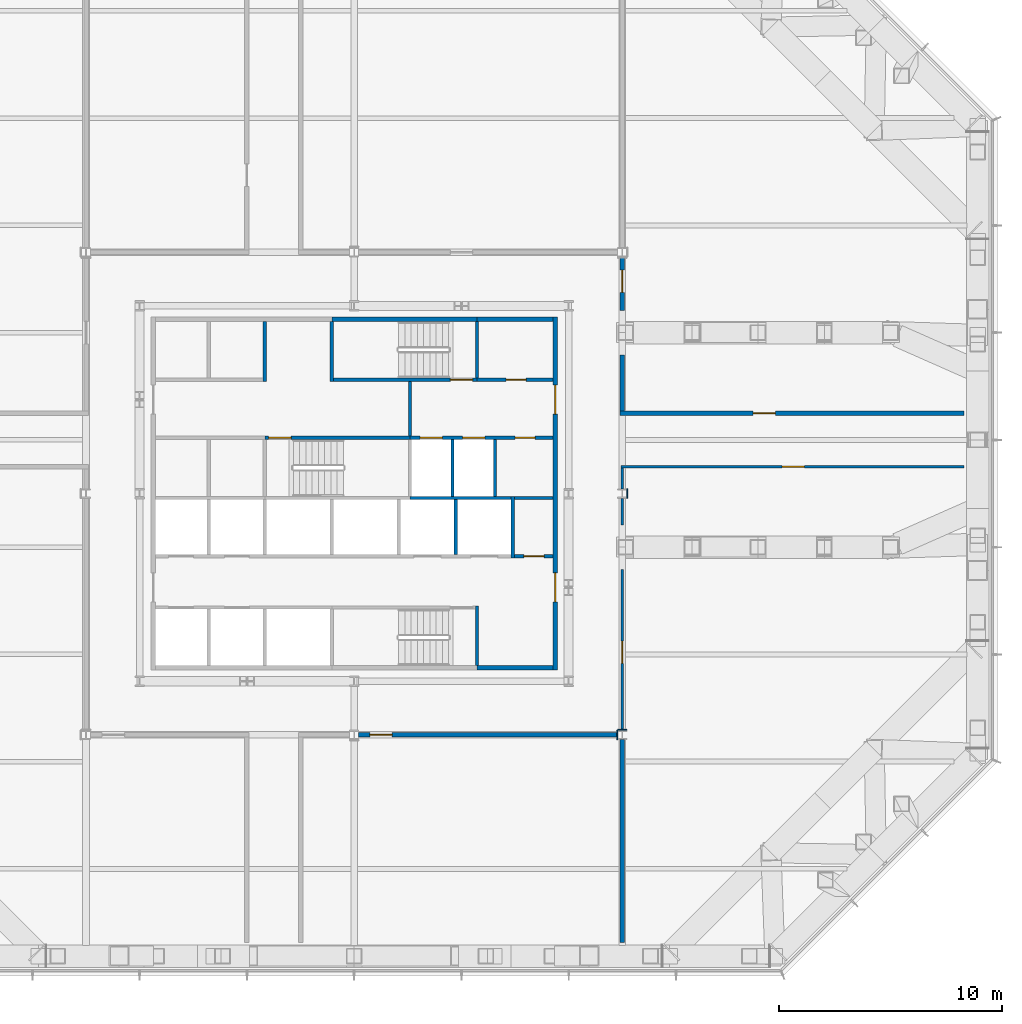
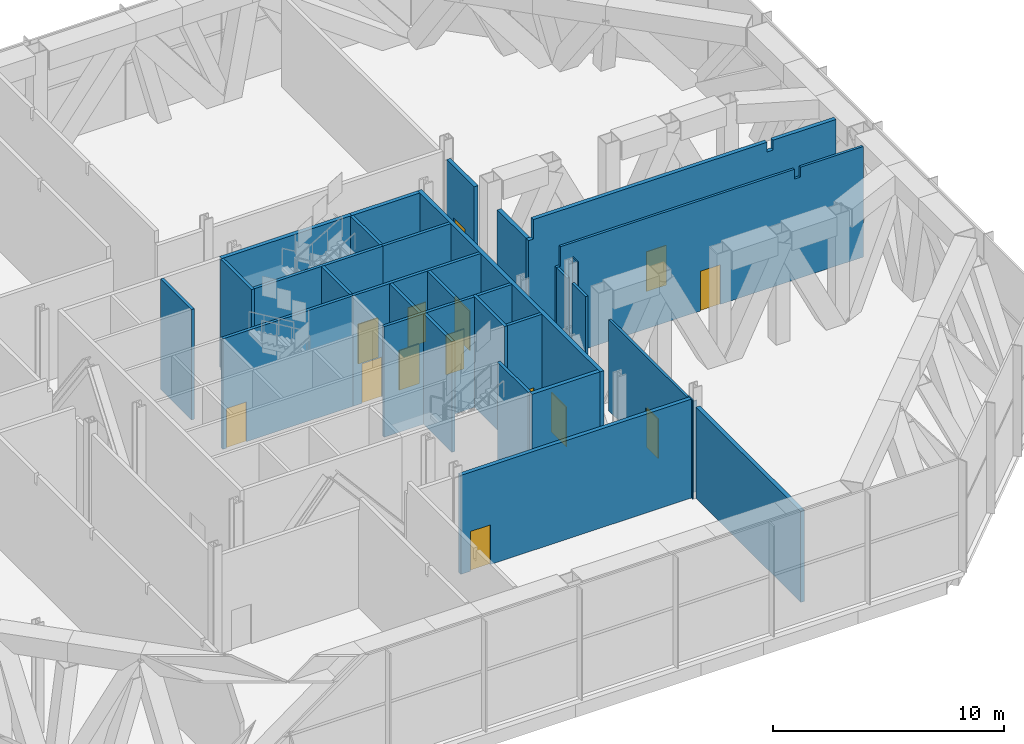
# One storey, part 14 of 17: 32 walls, 14 doors, 14 openings.
"""IFC4 building model written with IfcOpenShell, lengths in metres."""

from ifc_helpers import new_model, si_unit, direction, frame, frame_2d, origin, place, context, subcontext, project, spatial, polyline, rectangle, outline, extrude, material, layer, layer_set, type_object, element, fill, save


model = new_model("IFC4")

# Units and contexts
model_context = context("Model", 3, precision=1e-05, world=origin(), true_north=direction((0.0, 1.0)))
body_context = subcontext(model_context, "Body", "Model", "MODEL_VIEW")
ifc_project = project(units=[si_unit("LENGTHUNIT", "METRE"), si_unit("AREAUNIT", "SQUARE_METRE"), si_unit("VOLUMEUNIT", "CUBIC_METRE"), si_unit("PLANEANGLEUNIT", "RADIAN"), si_unit("MASSUNIT", "GRAM", prefix="KILO")], contexts=[model_context])

# Site, building, storey
site_placement = place(None, origin())
site = spatial("IfcSite", under=ifc_project, at=site_placement, CompositionType="ELEMENT")
building_placement = place(site_placement, origin())
building = spatial("IfcBuilding", under=site, at=building_placement, Name="Cairn Pilgrim Tower", CompositionType="ELEMENT")
storey_placement = place(building_placement, frame((0.0, 0.0, 119.39990234375)))
storey = spatial("IfcBuildingStorey", under=building, at=storey_placement, Name="L29", CompositionType="ELEMENT", Elevation=119.39990234375)

# Walls
ifc_material_1 = material(Name="Concrete C32/40", Category="concrete")
ifc_layer_1 = layer(ifc_material_1, 0.199951171875)
ifc_layer_set_1 = layer_set([ifc_layer_1], Name="CORE OUTER WALL 200 EI 120")
wall_type_1 = type_object("IfcWallType", Name="CORE OUTER WALL 200 EI 120", PredefinedType="SOLIDWALL", material=ifc_layer_set_1)
for number, where, z_axis, x_axis, name in (
    (1, (12.699951171875, -5.39990234375, 0.0), (0.0, 0.0, 1.0), (1.0, 0.0, 0.0), "CW:L29:H01-3"),
    (2, (12.699951171875, 10.199951171875, 0.0), (0.0, 0.0, 1.0), (1.0, 0.0, 0.0), "CW:L29:H10-3"),
):
    element("IfcWall", number, at=place(storey_placement, frame(where, z_axis=z_axis, x_axis=x_axis)), inside=storey, type_object=wall_type_1, Name=name, PredefinedType="SOLIDWALL", context=body_context, shape_type="SweptSolid", body=[
        extrude(rectangle(XDim=3.400146484375, YDim=0.199951171875, at=frame_2d((1.7001953125, 0.0))), origin(), (0.0, 0.0, 1.0), 5.85009765625),
    ])

# Wall, openings, doors
wall_1_placement = place(storey_placement, frame((16.199951171875, -5.5, 0.0), z_axis=(0.0, 0.0, 1.0), x_axis=(0.0, 1.0, 0.0)))
wall_1 = element("IfcWall", 3, at=wall_1_placement, inside=storey, type_object=wall_type_1, Name="CW:L29:V32", PredefinedType="SOLIDWALL", context=body_context, shape_type="SweptSolid", body=[
    extrude(rectangle(XDim=15.800048828125, YDim=0.199951171875, at=frame_2d((7.89990234375, 0.0))), origin(), (0.0, 0.0, 1.0), 5.85009765625),
])
opening_1_placement = place(wall_1_placement, frame((3.050048828125, 0.0, 0.0)))
opening_1 = element("IfcOpeningElement", 4, at=opening_1_placement, cuts=wall_1, Name="Opening CD-E1", PredefinedType="OPENING", context=body_context, shape_type="SweptSolid", body=[
    extrude(rectangle(XDim=1.300048828125, YDim=2.10009765625, at=frame_2d((0.64990234375, 1.050048828125))), frame((0.0, 0.10986328125, 0.0), z_axis=(0.0, -1.0, 0.0), x_axis=(1.0, 0.0, 0.0)), (0.0, 0.0, 1.0), 0.219970703125),
])
opening_2_placement = place(wall_1_placement, frame((11.449951171875, 0.0, 0.0)))
opening_2 = element("IfcOpeningElement", 5, at=opening_2_placement, cuts=wall_1, Name="Opening CD-E2", PredefinedType="OPENING", context=body_context, shape_type="SweptSolid", body=[
    extrude(rectangle(XDim=1.300048828125, YDim=2.10009765625, at=frame_2d((0.64990234375, 1.050048828125))), frame((0.0, 0.10986328125, 0.0), z_axis=(0.0, -1.0, 0.0), x_axis=(1.0, 0.0, 0.0)), (0.0, 0.0, 1.0), 0.219970703125),
])
ifc_material_2 = material(Name="Painted steel", Category="steel")
door_type_1 = type_object("IfcDoorType", Name="CORE LOBBY DOOR 1300x2100", OperationType="DOUBLE_DOOR_SINGLE_SWING", PredefinedType="DOOR", material=ifc_material_2)
door_1_placement = place(opening_1_placement, origin())
door_1 = element("IfcDoor", 6, at=door_1_placement, inside=storey, type_object=door_type_1, Name="CD-E1", OperationType="DOUBLE_DOOR_SINGLE_SWING", OverallHeight=2.10009765625, OverallWidth=1.300048828125, PredefinedType="DOOR", context=body_context, shape_type="SweptSolid", body=[
    extrude(rectangle(XDim=1.300048828125, YDim=2.10009765625, at=frame_2d((0.64990234375, 1.050048828125))), frame((0.0, 0.02490234375, 0.0), z_axis=(0.0, -1.0, 0.0), x_axis=(1.0, 0.0, 0.0)), (0.0, 0.0, 1.0), 0.050048828125),
])
fill(opening_1, door_1)
door_2_placement = place(opening_2_placement, origin())
door_2 = element("IfcDoor", 7, at=door_2_placement, inside=storey, type_object=door_type_1, Name="CD-E2", OperationType="DOUBLE_DOOR_SINGLE_SWING", OverallHeight=2.10009765625, OverallWidth=1.300048828125, PredefinedType="DOOR", context=body_context, shape_type="SweptSolid", body=[
    extrude(rectangle(XDim=1.300048828125, YDim=2.10009765625, at=frame_2d((0.64990234375, 1.050048828125))), frame((0.0, 0.02490234375, 0.0), z_axis=(0.0, -1.0, 0.0), x_axis=(1.0, 0.0, 0.0)), (0.0, 0.0, 1.0), 0.050048828125),
])
fill(opening_2, door_2)

# Wall, opening, door
ifc_layer_2 = layer(ifc_material_1, 0.14990234375)
ifc_layer_set_2 = layer_set([ifc_layer_2], Name="CORE PARTITION 150 EI 60")
wall_type_2 = type_object("IfcWallType", Name="CORE PARTITION 150 EI 60", PredefinedType="PARTITIONING", material=ifc_layer_set_2)
wall_2_placement = place(storey_placement, frame((14.375, -0.39990234375, 0.0), z_axis=(0.0, 0.0, 1.0), x_axis=(1.0, 0.0, 0.0)))
wall_2 = element("IfcWall", 8, at=wall_2_placement, inside=storey, type_object=wall_type_2, Name="CW:L29:H04", PredefinedType="PARTITIONING", context=body_context, shape_type="SweptSolid", body=[
    extrude(rectangle(XDim=1.72509765625, YDim=0.14990234375, at=frame_2d((0.862548828125, 0.0))), origin(), (0.0, 0.0, 1.0), 5.85009765625),
])
opening_3_placement = place(wall_2_placement, frame((0.425048828125, 0.0, 0.0)))
opening_3 = element("IfcOpeningElement", 9, at=opening_3_placement, cuts=wall_2, Name="Opening RD-R2E", PredefinedType="OPENING", context=body_context, shape_type="SweptSolid", body=[
    extrude(rectangle(XDim=0.89990234375, YDim=2.10009765625, at=frame_2d((0.449951171875, 1.050048828125))), frame((0.0, 0.0849609375, 0.0), z_axis=(0.0, -1.0, 0.0), x_axis=(1.0, 0.0, 0.0)), (0.0, 0.0, 1.0), 0.169921875),
])
door_type_2 = type_object("IfcDoorType", Name="SERVICE ROOM DOOR 900x2100", OperationType="SINGLE_SWING_LEFT", PredefinedType="DOOR", material=ifc_material_2)
door_3_placement = place(opening_3_placement, origin())
door_3 = element("IfcDoor", 10, at=door_3_placement, inside=storey, type_object=door_type_2, Name="RD-R2E", OperationType="SINGLE_SWING_LEFT", OverallHeight=2.10009765625, OverallWidth=0.89990234375, PredefinedType="DOOR", context=body_context, shape_type="SweptSolid", body=[
    extrude(rectangle(XDim=0.89990234375, YDim=2.10009765625, at=frame_2d((0.449951171875, 1.050048828125))), frame((0.0, 0.02490234375, 0.0), z_axis=(0.0, -1.0, 0.0), x_axis=(1.0, 0.0, 0.0)), (0.0, 0.0, 1.0), 0.050048828125),
])
fill(opening_3, door_3)

# Walls
wall_3_placement = place(storey_placement, frame((14.375, 2.199951171875, 0.0), z_axis=(0.0, 0.0, 1.0), x_axis=(1.0, 0.0, 0.0)))
element("IfcWall", 11, at=wall_3_placement, inside=storey, type_object=wall_type_2, Name="CW:L29:H06", PredefinedType="PARTITIONING", context=body_context, shape_type="SweptSolid", body=[
    extrude(rectangle(XDim=1.72509765625, YDim=0.14990234375, at=frame_2d((0.862548828125, 0.0))), origin(), (0.0, 0.0, 1.0), 5.85009765625),
])
ifc_layer_3 = layer(ifc_material_1, 0.14990234375)
ifc_layer_set_3 = layer_set([ifc_layer_3], Name="CORE SHAFT WALL 150 EI 120")
wall_type_3 = type_object("IfcWallType", Name="CORE SHAFT WALL 150 EI 120", PredefinedType="SOLIDWALL", material=ifc_layer_set_3)
wall_4_placement = place(storey_placement, frame((9.699951171875, 2.199951171875, 0.0), z_axis=(0.0, 0.0, 1.0), x_axis=(1.0, 0.0, 0.0)))
element("IfcWall", 12, at=wall_4_placement, inside=storey, type_object=wall_type_3, Name="CW:L29:H05-3", PredefinedType="SOLIDWALL", context=body_context, shape_type="SweptSolid", body=[
    extrude(rectangle(XDim=4.525146484375, YDim=0.14990234375, at=frame_2d((2.2626953125, 0.0))), origin(), (0.0, 0.0, 1.0), 5.85009765625),
])

# Wall, openings, doors
wall_5_placement = place(storey_placement, frame((9.699951171875, 4.89990234375, 0.0), z_axis=(0.0, 0.0, 1.0), x_axis=(1.0, 0.0, 0.0)))
wall_5 = element("IfcWall", 13, at=wall_5_placement, inside=storey, type_object=wall_type_3, Name="CW:L29:H07-3", PredefinedType="SOLIDWALL", context=body_context, shape_type="SweptSolid", body=[
    extrude(rectangle(XDim=6.400146484375, YDim=0.14990234375, at=frame_2d((3.2001953125, 0.0))), origin(), (0.0, 0.0, 1.0), 5.85009765625),
])
opening_4_placement = place(wall_5_placement, frame((0.449951171875, 0.0, 0.0)))
opening_4 = element("IfcOpeningElement", 14, at=opening_4_placement, cuts=wall_5, Name="Opening LD-FF1", PredefinedType="OPENING", context=body_context, shape_type="SweptSolid", body=[
    extrude(rectangle(XDim=1.0, YDim=2.10009765625, at=frame_2d((0.5, 1.050048828125))), frame((0.0, 0.0849609375, 0.0), z_axis=(0.0, -1.0, 0.0), x_axis=(1.0, 0.0, 0.0)), (0.0, 0.0, 1.0), 0.169921875),
])
opening_5_placement = place(wall_5_placement, frame((2.35009765625, 0.0, 0.0)))
opening_5 = element("IfcOpeningElement", 15, at=opening_5_placement, cuts=wall_5, Name="Opening LD-FF2", PredefinedType="OPENING", context=body_context, shape_type="SweptSolid", body=[
    extrude(rectangle(XDim=1.0, YDim=2.10009765625, at=frame_2d((0.5, 1.050048828125))), frame((0.0, 0.0849609375, 0.0), z_axis=(0.0, -1.0, 0.0), x_axis=(1.0, 0.0, 0.0)), (0.0, 0.0, 1.0), 0.169921875),
])
opening_6_placement = place(wall_5_placement, frame((4.699951171875, 0.0, 0.0)))
opening_6 = element("IfcOpeningElement", 16, at=opening_6_placement, cuts=wall_5, Name="Opening RD-R3E", PredefinedType="OPENING", context=body_context, shape_type="SweptSolid", body=[
    extrude(rectangle(XDim=0.89990234375, YDim=2.10009765625, at=frame_2d((0.449951171875, 1.050048828125))), frame((0.0, 0.0849609375, 0.0), z_axis=(0.0, -1.0, 0.0), x_axis=(1.0, 0.0, 0.0)), (0.0, 0.0, 1.0), 0.169921875),
])
ifc_material_3 = material(Name="Stainless steel", Category="steel")
door_type_3 = type_object("IfcDoorType", Name="LIFT LANDING DOOR FIRE 1000x2100", OperationType="DOUBLE_DOOR_SLIDING", PredefinedType="DOOR", material=ifc_material_3)
door_4_placement = place(opening_4_placement, origin())
door_4 = element("IfcDoor", 17, at=door_4_placement, inside=storey, type_object=door_type_3, Name="LANDING DOOR FF1", OperationType="DOUBLE_DOOR_SLIDING", OverallHeight=2.10009765625, OverallWidth=1.0, PredefinedType="DOOR", context=body_context, shape_type="SweptSolid", body=[
    extrude(rectangle(XDim=1.0, YDim=2.10009765625, at=frame_2d((0.5, 1.050048828125))), frame((0.0, 0.02490234375, 0.0), z_axis=(0.0, -1.0, 0.0), x_axis=(1.0, 0.0, 0.0)), (0.0, 0.0, 1.0), 0.050048828125),
])
fill(opening_4, door_4)
door_5_placement = place(opening_5_placement, origin())
door_5 = element("IfcDoor", 18, at=door_5_placement, inside=storey, type_object=door_type_3, Name="LANDING DOOR FF2", OperationType="DOUBLE_DOOR_SLIDING", OverallHeight=2.10009765625, OverallWidth=1.0, PredefinedType="DOOR", context=body_context, shape_type="SweptSolid", body=[
    extrude(rectangle(XDim=1.0, YDim=2.10009765625, at=frame_2d((0.5, 1.050048828125))), frame((0.0, 0.02490234375, 0.0), z_axis=(0.0, -1.0, 0.0), x_axis=(1.0, 0.0, 0.0)), (0.0, 0.0, 1.0), 0.050048828125),
])
fill(opening_5, door_5)
door_6_placement = place(opening_6_placement, origin())
door_6 = element("IfcDoor", 19, at=door_6_placement, inside=storey, type_object=door_type_2, Name="RD-R3E", OperationType="SINGLE_SWING_RIGHT", OverallHeight=2.10009765625, OverallWidth=0.89990234375, PredefinedType="DOOR", context=body_context, shape_type="SweptSolid", body=[
    extrude(rectangle(XDim=0.89990234375, YDim=2.10009765625, at=frame_2d((0.449951171875, 1.050048828125))), frame((0.0, 0.02490234375, 0.0), z_axis=(0.0, -1.0, 0.0), x_axis=(1.0, 0.0, 0.0)), (0.0, 0.0, 1.0), 0.050048828125),
])
fill(opening_6, door_6)

# Wall, opening, door
wall_6_placement = place(storey_placement, frame((12.699951171875, 7.5, 0.0), z_axis=(0.0, 0.0, 1.0), x_axis=(1.0, 0.0, 0.0)))
wall_6 = element("IfcWall", 20, at=wall_6_placement, inside=storey, type_object=wall_type_3, Name="CW:L29:H09-2", PredefinedType="SOLIDWALL", context=body_context, shape_type="SweptSolid", body=[
    extrude(rectangle(XDim=3.400146484375, YDim=0.14990234375, at=frame_2d((1.7001953125, 0.0))), origin(), (0.0, 0.0, 1.0), 5.85009765625),
])
opening_7_placement = place(wall_6_placement, frame((1.300048828125, 0.0, 0.0)))
opening_7 = element("IfcOpeningElement", 21, at=opening_7_placement, cuts=wall_6, Name="Opening RD-R4E", PredefinedType="OPENING", context=body_context, shape_type="SweptSolid", body=[
    extrude(rectangle(XDim=0.89990234375, YDim=2.10009765625, at=frame_2d((0.449951171875, 1.050048828125))), frame((0.0, 0.0849609375, 0.0), z_axis=(0.0, -1.0, 0.0), x_axis=(1.0, 0.0, 0.0)), (0.0, 0.0, 1.0), 0.169921875),
])
door_7_placement = place(opening_7_placement, origin())
door_7 = element("IfcDoor", 22, at=door_7_placement, inside=storey, type_object=door_type_2, Name="RD-R4E", OperationType="SINGLE_SWING_LEFT", OverallHeight=2.10009765625, OverallWidth=0.89990234375, PredefinedType="DOOR", context=body_context, shape_type="SweptSolid", body=[
    extrude(rectangle(XDim=0.89990234375, YDim=2.10009765625, at=frame_2d((0.449951171875, 1.050048828125))), frame((0.0, 0.02490234375, 0.0), z_axis=(0.0, -1.0, 0.0), x_axis=(1.0, 0.0, 0.0)), (0.0, 0.0, 1.0), 0.050048828125),
])
fill(opening_7, door_7)

# Walls
wall_7_placement = place(storey_placement, frame((3.199951171875, 7.425048828125, 0.0), z_axis=(0.0, 0.0, 1.0), x_axis=(0.0, 1.0, 0.0)))
element("IfcWall", 23, at=wall_7_placement, inside=storey, type_object=wall_type_3, Name="CW:L29:V19", PredefinedType="SOLIDWALL", context=body_context, shape_type="SweptSolid", body=[
    extrude(rectangle(XDim=2.675048828125, YDim=0.14990234375, at=frame_2d((1.33740234375, 0.0))), origin(), (0.0, 0.0, 1.0), 5.85009765625),
])
wall_8_placement = place(storey_placement, frame((9.699951171875, 4.97509765625, 0.0), z_axis=(0.0, 0.0, 1.0), x_axis=(0.0, 1.0, 0.0)))
element("IfcWall", 24, at=wall_8_placement, inside=storey, type_object=wall_type_3, Name="CW:L29:V25", PredefinedType="SOLIDWALL", context=body_context, shape_type="SweptSolid", body=[
    extrude(rectangle(XDim=2.449951171875, YDim=0.14990234375, at=frame_2d((1.22509765625, 0.0))), origin(), (0.0, 0.0, 1.0), 5.85009765625),
])
wall_9_placement = place(storey_placement, frame((11.60009765625, 2.27490234375, 0.0), z_axis=(0.0, 0.0, 1.0), x_axis=(0.0, 1.0, 0.0)))
element("IfcWall", 25, at=wall_9_placement, inside=storey, type_object=wall_type_3, Name="CW:L29:V26", PredefinedType="SOLIDWALL", context=body_context, shape_type="SweptSolid", body=[
    extrude(rectangle(XDim=2.550048828125, YDim=0.14990234375, at=frame_2d((1.27490234375, 0.0))), origin(), (0.0, 0.0, 1.0), 5.85009765625),
])
wall_10_placement = place(storey_placement, frame((11.75, -0.324951171875, 0.0), z_axis=(0.0, 0.0, 1.0), x_axis=(0.0, 1.0, 0.0)))
element("IfcWall", 26, at=wall_10_placement, inside=storey, type_object=wall_type_3, Name="CW:L29:V27", PredefinedType="SOLIDWALL", context=body_context, shape_type="SweptSolid", body=[
    extrude(rectangle(XDim=2.449951171875, YDim=0.14990234375, at=frame_2d((1.22509765625, 0.0))), origin(), (0.0, 0.0, 1.0), 5.85009765625),
])
wall_11_placement = place(storey_placement, frame((13.5, 2.27490234375, 0.0), z_axis=(0.0, 0.0, 1.0), x_axis=(0.0, 1.0, 0.0)))
element("IfcWall", 27, at=wall_11_placement, inside=storey, type_object=wall_type_3, Name="CW:L29:V30", PredefinedType="SOLIDWALL", context=body_context, shape_type="SweptSolid", body=[
    extrude(rectangle(XDim=2.550048828125, YDim=0.14990234375, at=frame_2d((1.27490234375, 0.0))), origin(), (0.0, 0.0, 1.0), 5.85009765625),
])
wall_12_placement = place(storey_placement, frame((14.300048828125, -0.47509765625, 0.0), z_axis=(0.0, 0.0, 1.0), x_axis=(0.0, 1.0, 0.0)))
element("IfcWall", 28, at=wall_12_placement, inside=storey, type_object=wall_type_3, Name="CW:L29:V31", PredefinedType="SOLIDWALL", context=body_context, shape_type="SweptSolid", body=[
    extrude(rectangle(XDim=2.75, YDim=0.14990234375, at=frame_2d((1.375, 0.0))), origin(), (0.0, 0.0, 1.0), 5.85009765625),
])

# Wall, opening, door
ifc_material_4 = material(Name="Gypsum partition")
ifc_layer_4 = layer(ifc_material_4, 0.125)
ifc_layer_set_4 = layer_set([ifc_layer_4], Name="PARTITION 125 DRYWALL EI 60")
wall_type_4 = type_object("IfcWallType", Name="PARTITION 125 DRYWALL EI 60", PredefinedType="PARTITIONING", material=ifc_layer_set_4)
wall_13_placement = place(storey_placement, frame((19.199951171875, -8.1875, 0.0), z_axis=(0.0, 0.0, 1.0), x_axis=(0.0, 1.0, 0.0)))
wall_13 = element("IfcWall", 29, at=wall_13_placement, inside=storey, type_object=wall_type_4, Name="PARTITION W009", PredefinedType="PARTITIONING", context=body_context, shape_type="SweptSolid", body=[
    extrude(rectangle(XDim=7.1875, YDim=0.125, at=frame_2d((3.59375, 0.0))), origin(), (0.0, 0.0, 1.0), 4.822021484375),
])
opening_8_placement = place(wall_13_placement, frame((2.987548828125, 0.0, 0.0)))
opening_8 = element("IfcOpeningElement", 30, at=opening_8_placement, cuts=wall_13, Name="Opening 2910", PredefinedType="OPENING", context=body_context, shape_type="SweptSolid", body=[
    extrude(rectangle(XDim=1.0, YDim=2.10009765625, at=frame_2d((0.5, 1.050048828125))), frame((0.0, 0.072509765625, 0.0), z_axis=(0.0, -1.0, 0.0), x_axis=(1.0, 0.0, 0.0)), (0.0, 0.0, 1.0), 0.14501953125),
])
ifc_material_5 = material(Name="Steel-faced fire door leaf", Category="steel")
door_type_4 = type_object("IfcDoorType", Name="FIRE DOOR 1000x2100 FD60S", OperationType="NOTDEFINED", PredefinedType="DOOR", material=ifc_material_5)
door_8_placement = place(opening_8_placement, origin())
door_8 = element("IfcDoor", 31, at=door_8_placement, inside=storey, type_object=door_type_4, Name="DOOR 2910", OperationType="SINGLE_SWING_RIGHT", OverallHeight=2.10009765625, OverallWidth=1.0, PredefinedType="DOOR", context=body_context, shape_type="SweptSolid", body=[
    extrude(rectangle(XDim=1.0, YDim=2.10009765625, at=frame_2d((0.5, 1.050048828125))), frame((0.0, 0.02490234375, 0.0), z_axis=(0.0, -1.0, 0.0), x_axis=(1.0, 0.0, 0.0)), (0.0, 0.0, 1.0), 0.050048828125),
])
fill(opening_8, door_8)

# Walls
wall_14_placement = place(storey_placement, frame((19.199951171875, 1.0, 0.0), z_axis=(0.0, 0.0, 1.0), x_axis=(0.0, 1.0, 0.0)))
element("IfcWall", 32, at=wall_14_placement, inside=storey, type_object=wall_type_4, Name="PARTITION W010", PredefinedType="PARTITIONING", context=body_context, shape_type="SweptSolid", body=[
    extrude(rectangle(XDim=1.1875, YDim=0.125, at=frame_2d((0.59375, 0.0))), origin(), (0.0, 0.0, 1.0), 4.822021484375),
])
wall_15_placement = place(storey_placement, frame((19.199951171875, 2.612548828125, 0.0), z_axis=(0.0, 0.0, 1.0), x_axis=(0.0, 1.0, 0.0)))
element("IfcWall", 33, at=wall_15_placement, inside=storey, type_object=wall_type_4, Name="PARTITION W012", PredefinedType="PARTITIONING", context=body_context, shape_type="SweptSolid", body=[
    extrude(rectangle(XDim=0.925048828125, YDim=0.125, at=frame_2d((0.46240234375, 0.0))), origin(), (0.0, 0.0, 1.0), 4.822021484375),
])

# Wall, opening, door
wall_16_placement = place(storey_placement, frame((19.137451171875, 3.60009765625, 0.0), z_axis=(0.0, 0.0, 1.0), x_axis=(1.0, 0.0, 0.0)))
wall_16 = element("IfcWall", 34, at=wall_16_placement, inside=storey, type_object=wall_type_4, Name="PARTITION W014", PredefinedType="PARTITIONING", context=body_context, shape_type="SweptSolid", body=[
    extrude(outline(polyline([(0.0, 0.0), (15.362548828125, 0.0), (15.362548828125, 5.85009765625), (12.21240234375, 5.85009765625), (12.21044921875, 5.330078125), (11.91259765625, 5.330078125), (11.910400390625, 5.85009765625), (0.21337890625, 5.85009765625), (0.21142578125, 4.822021484375), (0.0, 4.822021484375), (0.0, 0.0)])), frame((0.0, 0.0625, 0.0), z_axis=(0.0, -1.0, 0.0), x_axis=(1.0, 0.0, 0.0)), (0.0, 0.0, 1.0), 0.125),
])
opening_9_placement = place(wall_16_placement, frame((7.21240234375, 0.0, 0.0)))
opening_9 = element("IfcOpeningElement", 35, at=opening_9_placement, cuts=wall_16, Name="Opening 2911", PredefinedType="OPENING", context=body_context, shape_type="SweptSolid", body=[
    extrude(rectangle(XDim=1.0, YDim=2.10009765625, at=frame_2d((0.5, 1.050048828125))), frame((0.0, 0.072509765625, 0.0), z_axis=(0.0, -1.0, 0.0), x_axis=(1.0, 0.0, 0.0)), (0.0, 0.0, 1.0), 0.14501953125),
])
door_9_placement = place(opening_9_placement, origin())
door_9 = element("IfcDoor", 36, at=door_9_placement, inside=storey, type_object=door_type_4, Name="DOOR 2911", OperationType="SINGLE_SWING_LEFT", OverallHeight=2.10009765625, OverallWidth=1.0, PredefinedType="DOOR", context=body_context, shape_type="SweptSolid", body=[
    extrude(rectangle(XDim=1.0, YDim=2.10009765625, at=frame_2d((0.5, 1.050048828125))), frame((0.0, 0.02490234375, 0.0), z_axis=(0.0, -1.0, 0.0), x_axis=(1.0, 0.0, 0.0)), (0.0, 0.0, 1.0), 0.050048828125),
])
fill(opening_9, door_9)

# Walls
ifc_layer_5 = layer(ifc_material_4, 0.050048828125)
ifc_layer_set_5 = layer_set([ifc_layer_5], Name="PARTITION 50 DRYWALL EI 120")
wall_type_5 = type_object("IfcWallType", Name="PARTITION 50 DRYWALL EI 120", PredefinedType="PARTITIONING", material=ifc_layer_set_5)
wall_17_placement = place(storey_placement, frame((18.970458984375, -8.612548828125, 0.0), z_axis=(0.0, 0.0, 1.0), x_axis=(0.0, 1.0, 0.0)))
element("IfcWall", 37, at=wall_17_placement, inside=storey, type_object=wall_type_5, Name="COLUMN CASING WC01", PredefinedType="PARTITIONING", context=body_context, shape_type="SweptSolid", body=[
    extrude(rectangle(XDim=0.425048828125, YDim=0.050048828125, at=frame_2d((0.21240234375, 0.0))), origin(), (0.0, 0.0, 1.0), 5.22998046875),
])
wall_18_placement = place(storey_placement, frame((18.99560546875, -8.16259765625, 0.0), z_axis=(0.0, 0.0, 1.0), x_axis=(1.0, 0.0, 0.0)))
element("IfcWall", 38, at=wall_18_placement, inside=storey, type_object=wall_type_5, Name="COLUMN CASING WC04", PredefinedType="PARTITIONING", context=body_context, shape_type="SweptSolid", body=[
    extrude(rectangle(XDim=0.408935546875, YDim=0.050048828125, at=frame_2d((0.20458984375, 0.0))), origin(), (0.0, 0.0, 1.0), 4.822021484375),
])
ifc_layer_6 = layer(ifc_material_4, 0.050048828125)
ifc_layer_set_6 = layer_set([ifc_layer_6], Name="PARTITION 50 DRYWALL EI 60")
wall_type_6 = type_object("IfcWallType", Name="PARTITION 50 DRYWALL EI 60", PredefinedType="PARTITIONING", material=ifc_layer_set_6)
wall_19_placement = place(storey_placement, frame((19.429443359375, 2.1875, 0.0), z_axis=(0.0, 0.0, 1.0), x_axis=(0.0, 1.0, 0.0)))
element("IfcWall", 39, at=wall_19_placement, inside=storey, type_object=wall_type_6, Name="COLUMN CASING WC07", PredefinedType="PARTITIONING", context=body_context, shape_type="SweptSolid", body=[
    extrude(rectangle(XDim=0.425048828125, YDim=0.050048828125, at=frame_2d((0.21240234375, 0.0))), origin(), (0.0, 0.0, 1.0), 5.85009765625),
])
ifc_layer_7 = layer(ifc_material_4, 0.199951171875)
ifc_layer_set_7 = layer_set([ifc_layer_7], Name="SHAFT WALL 200 GYPSUM EI 120")
wall_type_7 = type_object("IfcWallType", Name="SHAFT WALL 200 GYPSUM EI 120", PredefinedType="PARTITIONING", material=ifc_layer_set_7)
wall_20_placement = place(storey_placement, frame((19.199951171875, -17.699951171875, 0.0), z_axis=(0.0, 0.0, 1.0), x_axis=(0.0, 1.0, 0.0)))
element("IfcWall", 40, at=wall_20_placement, inside=storey, type_object=wall_type_7, Name="PARTITION W004", PredefinedType="PARTITIONING", context=body_context, shape_type="SweptSolid", body=[
    extrude(rectangle(XDim=9.08740234375, YDim=0.199951171875, at=frame_2d((4.543701171875, 0.0))), origin(), (0.0, 0.0, 1.0), 4.822021484375),
])

# Wall, opening, door
wall_21_placement = place(storey_placement, frame((7.404541015625, -8.39990234375, 0.0), z_axis=(0.0, 0.0, 1.0), x_axis=(1.0, 0.0, 0.0)))
wall_21 = element("IfcWall", 41, at=wall_21_placement, inside=storey, type_object=wall_type_7, Name="PARTITION W007", PredefinedType="PARTITIONING", context=body_context, shape_type="SweptSolid", body=[
    extrude(rectangle(XDim=11.591064453125, YDim=0.199951171875, at=frame_2d((5.79541015625, 0.0))), origin(), (0.0, 0.0, 1.0), 5.22998046875),
])
opening_10_placement = place(wall_21_placement, frame((0.49560546875, 0.0, 0.0)))
opening_10 = element("IfcOpeningElement", 42, at=opening_10_placement, cuts=wall_21, Name="Opening 2909", PredefinedType="OPENING", context=body_context, shape_type="SweptSolid", body=[
    extrude(rectangle(XDim=1.0, YDim=2.10009765625, at=frame_2d((0.5, 1.050048828125))), frame((0.0, 0.10986328125, 0.0), z_axis=(0.0, -1.0, 0.0), x_axis=(1.0, 0.0, 0.0)), (0.0, 0.0, 1.0), 0.219970703125),
])
door_10_placement = place(opening_10_placement, origin())
door_10 = element("IfcDoor", 43, at=door_10_placement, inside=storey, type_object=door_type_4, Name="DOOR 2909", OperationType="SINGLE_SWING_LEFT", OverallHeight=2.10009765625, OverallWidth=1.0, PredefinedType="DOOR", context=body_context, shape_type="SweptSolid", body=[
    extrude(rectangle(XDim=1.0, YDim=2.10009765625, at=frame_2d((0.5, 1.050048828125))), frame((0.0, 0.02490234375, 0.0), z_axis=(0.0, -1.0, 0.0), x_axis=(1.0, 0.0, 0.0)), (0.0, 0.0, 1.0), 0.050048828125),
])
fill(opening_10, door_10)

wall_22_placement = place(storey_placement, frame((19.10009765625, 6.0, 0.0), z_axis=(0.0, 0.0, 1.0), x_axis=(1.0, 0.0, 0.0)))
wall_22 = element("IfcWall", 44, at=wall_22_placement, inside=storey, type_object=wall_type_7, Name="PARTITION W016", PredefinedType="PARTITIONING", context=body_context, shape_type="SweptSolid", body=[
    extrude(outline(polyline([(0.0, 0.0), (15.39990234375, 0.0), (15.39990234375, 5.85009765625), (12.25, 5.85009765625), (12.248046875, 5.330078125), (11.949951171875, 5.330078125), (11.947998046875, 5.85009765625), (0.2509765625, 5.85009765625), (0.2490234375, 4.822021484375), (0.0, 4.822021484375), (0.0, 0.0)])), frame((0.0, 0.10009765625, 0.0), z_axis=(0.0, -1.0, 0.0), x_axis=(1.0, 0.0, 0.0)), (0.0, 0.0, 1.0), 0.199951171875),
])
opening_11_placement = place(wall_22_placement, frame((5.949951171875, 0.0, 0.0)))
opening_11 = element("IfcOpeningElement", 45, at=opening_11_placement, cuts=wall_22, Name="Opening 2905", PredefinedType="OPENING", context=body_context, shape_type="SweptSolid", body=[
    extrude(rectangle(XDim=1.0, YDim=2.10009765625, at=frame_2d((0.5, 1.050048828125))), frame((0.0, 0.10986328125, 0.0), z_axis=(0.0, -1.0, 0.0), x_axis=(1.0, 0.0, 0.0)), (0.0, 0.0, 1.0), 0.219970703125),
])
door_11_placement = place(opening_11_placement, frame((1.0, 0.0, 0.0), z_axis=(0.0, 0.0, 1.0), x_axis=(-1.0, 0.0, 0.0)))
door_11 = element("IfcDoor", 46, at=door_11_placement, inside=storey, type_object=door_type_4, Name="DOOR 2905", OperationType="SINGLE_SWING_LEFT", OverallHeight=2.10009765625, OverallWidth=1.0, PredefinedType="DOOR", context=body_context, shape_type="SweptSolid", body=[
    extrude(rectangle(XDim=1.0, YDim=2.10009765625, at=frame_2d((0.5, 1.050048828125))), frame((0.0, 0.02490234375, 0.0), z_axis=(0.0, -1.0, 0.0), x_axis=(1.0, 0.0, 0.0)), (0.0, 0.0, 1.0), 0.050048828125),
])
fill(opening_11, door_11)

# Wall
wall_23_placement = place(storey_placement, frame((19.199951171875, 6.10009765625, 0.0), z_axis=(0.0, 0.0, 1.0), x_axis=(0.0, 1.0, 0.0)))
element("IfcWall", 47, at=wall_23_placement, inside=storey, type_object=wall_type_7, Name="PARTITION W019", PredefinedType="PARTITIONING", context=body_context, shape_type="SweptSolid", body=[
    extrude(rectangle(XDim=2.5, YDim=0.199951171875, at=frame_2d((1.25, 0.0))), origin(), (0.0, 0.0, 1.0), 4.822021484375),
])

# Wall, opening, door
wall_24_placement = place(storey_placement, frame((19.199951171875, 10.60009765625, 0.0), z_axis=(0.0, 0.0, 1.0), x_axis=(0.0, 1.0, 0.0)))
wall_24 = element("IfcWall", 48, at=wall_24_placement, inside=storey, type_object=wall_type_7, Name="PARTITION W020", PredefinedType="PARTITIONING", context=body_context, shape_type="SweptSolid", body=[
    extrude(rectangle(XDim=2.387451171875, YDim=0.199951171875, at=frame_2d((1.19384765625, 0.0))), origin(), (0.0, 0.0, 1.0), 4.822021484375),
])
opening_12_placement = place(wall_24_placement, frame((0.800048828125, 0.0, 0.0)))
opening_12 = element("IfcOpeningElement", 49, at=opening_12_placement, cuts=wall_24, Name="Opening 2906", PredefinedType="OPENING", context=body_context, shape_type="SweptSolid", body=[
    extrude(rectangle(XDim=1.0, YDim=2.10009765625, at=frame_2d((0.5, 1.050048828125))), frame((0.0, 0.10986328125, 0.0), z_axis=(0.0, -1.0, 0.0), x_axis=(1.0, 0.0, 0.0)), (0.0, 0.0, 1.0), 0.219970703125),
])
door_12_placement = place(opening_12_placement, origin())
door_12 = element("IfcDoor", 50, at=door_12_placement, inside=storey, type_object=door_type_4, Name="DOOR 2906", OperationType="SINGLE_SWING_RIGHT", OverallHeight=2.10009765625, OverallWidth=1.0, PredefinedType="DOOR", context=body_context, shape_type="SweptSolid", body=[
    extrude(rectangle(XDim=1.0, YDim=2.10009765625, at=frame_2d((0.5, 1.050048828125))), frame((0.0, 0.02490234375, 0.0), z_axis=(0.0, -1.0, 0.0), x_axis=(1.0, 0.0, 0.0)), (0.0, 0.0, 1.0), 0.050048828125),
])
fill(opening_12, door_12)

ifc_material_6 = material(Name="Concrete C35/45", Category="concrete")
ifc_layer_8 = layer(ifc_material_6, 0.14990234375)
ifc_layer_set_8 = layer_set([ifc_layer_8], Name="STAIR SHAFT WALL 150 EI 120")
wall_type_8 = type_object("IfcWallType", Name="STAIR SHAFT WALL 150 EI 120", PredefinedType="SOLIDWALL", material=ifc_layer_set_8)
wall_25_placement = place(storey_placement, frame((3.199951171875, 4.89990234375, 0.0), z_axis=(0.0, 0.0, 1.0), x_axis=(1.0, 0.0, 0.0)))
wall_25 = element("IfcWall", 51, at=wall_25_placement, inside=storey, type_object=wall_type_8, Name="CW:L29:H07-2", PredefinedType="SOLIDWALL", context=body_context, shape_type="SweptSolid", body=[
    extrude(rectangle(XDim=6.5, YDim=0.14990234375, at=frame_2d((3.25, 0.0))), origin(), (0.0, 0.0, 1.0), 5.85009765625),
])
opening_13_placement = place(wall_25_placement, frame((0.175048828125, 0.0, 0.0)))
opening_13 = element("IfcOpeningElement", 52, at=opening_13_placement, cuts=wall_25, Name="Opening SD-B", PredefinedType="OPENING", context=body_context, shape_type="SweptSolid", body=[
    extrude(rectangle(XDim=1.0, YDim=2.10009765625, at=frame_2d((0.5, 1.050048828125))), frame((0.0, 0.0849609375, 0.0), z_axis=(0.0, -1.0, 0.0), x_axis=(1.0, 0.0, 0.0)), (0.0, 0.0, 1.0), 0.169921875),
])
door_type_5 = type_object("IfcDoorType", Name="STAIR DOOR FD60S 1000x2100", OperationType="SINGLE_SWING_LEFT", PredefinedType="DOOR", material=ifc_material_2)
door_13_placement = place(opening_13_placement, origin())
door_13 = element("IfcDoor", 53, at=door_13_placement, inside=storey, type_object=door_type_5, Name="SD-B", OperationType="SINGLE_SWING_LEFT", OverallHeight=2.10009765625, OverallWidth=1.0, PredefinedType="DOOR", context=body_context, shape_type="SweptSolid", body=[
    extrude(rectangle(XDim=1.0, YDim=2.10009765625, at=frame_2d((0.5, 1.050048828125))), frame((0.0, 0.02490234375, 0.0), z_axis=(0.0, -1.0, 0.0), x_axis=(1.0, 0.0, 0.0)), (0.0, 0.0, 1.0), 0.050048828125),
])
fill(opening_13, door_13)

wall_26_placement = place(storey_placement, frame((6.27490234375, 7.5, 0.0), z_axis=(0.0, 0.0, 1.0), x_axis=(1.0, 0.0, 0.0)))
wall_26 = element("IfcWall", 54, at=wall_26_placement, inside=storey, type_object=wall_type_8, Name="CW:L29:H09-1", PredefinedType="SOLIDWALL", context=body_context, shape_type="SweptSolid", body=[
    extrude(rectangle(XDim=6.425048828125, YDim=0.14990234375, at=frame_2d((3.21240234375, 0.0))), origin(), (0.0, 0.0, 1.0), 5.85009765625),
])
opening_14_placement = place(wall_26_placement, frame((5.22509765625, 0.0, 0.0)))
opening_14 = element("IfcOpeningElement", 55, at=opening_14_placement, cuts=wall_26, Name="Opening SD-C", PredefinedType="OPENING", context=body_context, shape_type="SweptSolid", body=[
    extrude(rectangle(XDim=1.0, YDim=2.10009765625, at=frame_2d((0.5, 1.050048828125))), frame((0.0, 0.0849609375, 0.0), z_axis=(0.0, -1.0, 0.0), x_axis=(1.0, 0.0, 0.0)), (0.0, 0.0, 1.0), 0.169921875),
])
door_14_placement = place(opening_14_placement, origin())
door_14 = element("IfcDoor", 56, at=door_14_placement, inside=storey, type_object=door_type_5, Name="SD-C", OperationType="SINGLE_SWING_RIGHT", OverallHeight=2.10009765625, OverallWidth=1.0, PredefinedType="DOOR", context=body_context, shape_type="SweptSolid", body=[
    extrude(rectangle(XDim=1.0, YDim=2.10009765625, at=frame_2d((0.5, 1.050048828125))), frame((0.0, 0.02490234375, 0.0), z_axis=(0.0, -1.0, 0.0), x_axis=(1.0, 0.0, 0.0)), (0.0, 0.0, 1.0), 0.050048828125),
])
fill(opening_14, door_14)

# Walls
for number, where, z_axis, x_axis, name in (
    (57, (6.199951171875, 7.425048828125, 0.0), (0.0, 0.0, 1.0), (0.0, 1.0, 0.0), "CW:L29:V22"),
    (58, (12.699951171875, -5.300048828125, 0.0), (0.0, 0.0, 1.0), (0.0, 1.0, 0.0), "CW:L29:V28"),
):
    element("IfcWall", number, at=place(storey_placement, frame(where, z_axis=z_axis, x_axis=x_axis)), inside=storey, type_object=wall_type_8, Name=name, PredefinedType="SOLIDWALL", context=body_context, shape_type="SweptSolid", body=[
        extrude(rectangle(XDim=2.675048828125, YDim=0.14990234375, at=frame_2d((1.33740234375, 0.0))), origin(), (0.0, 0.0, 1.0), 5.85009765625),
    ])
wall_27_placement = place(storey_placement, frame((12.699951171875, 7.574951171875, 0.0), z_axis=(0.0, 0.0, 1.0), x_axis=(0.0, 1.0, 0.0)))
element("IfcWall", 59, at=wall_27_placement, inside=storey, type_object=wall_type_8, Name="CW:L29:V29", PredefinedType="SOLIDWALL", context=body_context, shape_type="SweptSolid", body=[
    extrude(rectangle(XDim=2.525146484375, YDim=0.14990234375, at=frame_2d((1.2626953125, 0.0))), origin(), (0.0, 0.0, 1.0), 5.85009765625),
])
ifc_layer_9 = layer(ifc_material_6, 0.199951171875)
ifc_layer_set_9 = layer_set([ifc_layer_9], Name="STAIR SHAFT WALL 200 EI 120")
wall_type_9 = type_object("IfcWallType", Name="STAIR SHAFT WALL 200 EI 120", PredefinedType="SOLIDWALL", material=ifc_layer_set_9)
wall_28_placement = place(storey_placement, frame((6.199951171875, 10.199951171875, 0.0), z_axis=(0.0, 0.0, 1.0), x_axis=(1.0, 0.0, 0.0)))
element("IfcWall", 60, at=wall_28_placement, inside=storey, type_object=wall_type_9, Name="CW:L29:H10-2", PredefinedType="SOLIDWALL", context=body_context, shape_type="SweptSolid", body=[
    extrude(rectangle(XDim=6.5, YDim=0.199951171875, at=frame_2d((3.25, 0.0))), origin(), (0.0, 0.0, 1.0), 5.85009765625),
])

save(model, "model.ifc")
